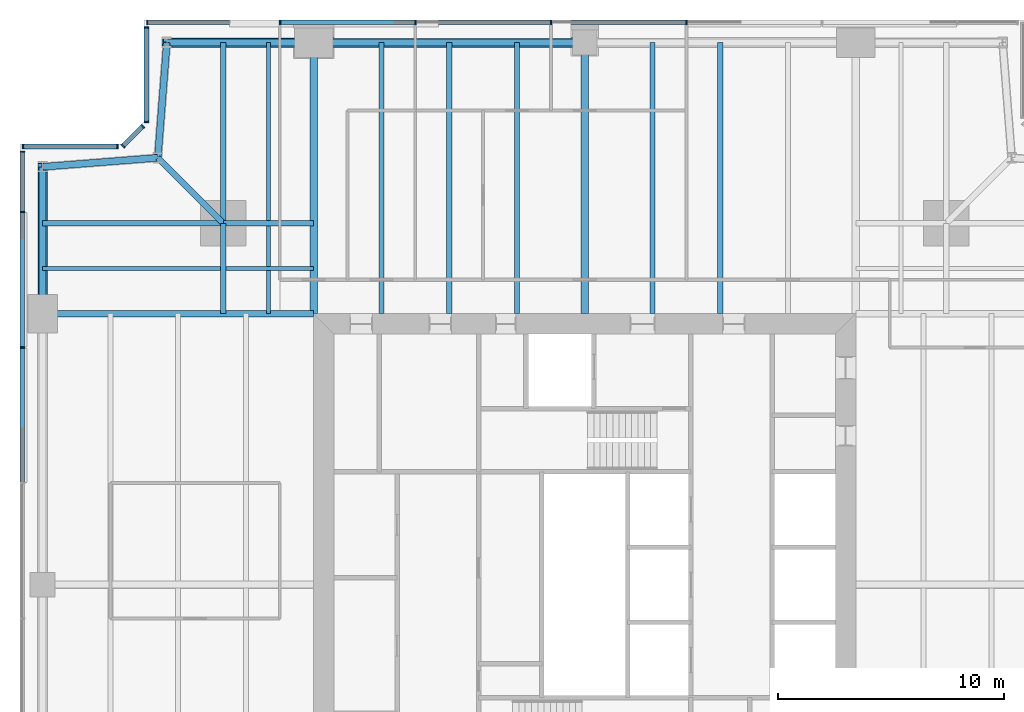
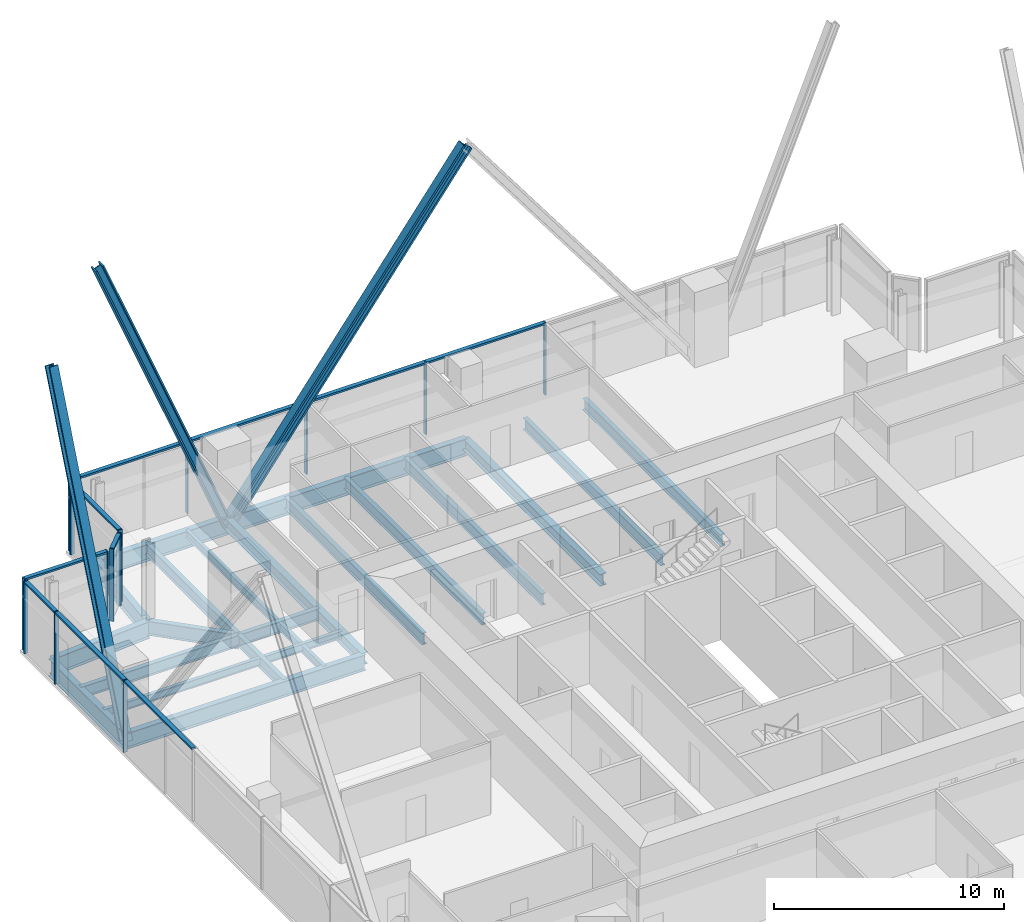
# One storey, part 6 of 13: 27 members, 23 beams, 5 elements without a shape of their own.
"""IFC4 building model written with IfcOpenShell, lengths in metres."""

from ifc_helpers import new_model, si_unit, direction, frame, origin, origin_2d, place, context, subcontext, project, spatial, rectangle, i_section, extrude, material, material_profile, profile_set, type_object, element, aggregate, save


model = new_model("IFC4")

# Units and contexts
model_context = context("Model", 3, precision=1e-05, world=origin(), true_north=direction((0.0, 1.0)))
body_context = subcontext(model_context, "Body", "Model", "MODEL_VIEW")
ifc_project = project(units=[si_unit("LENGTHUNIT", "METRE"), si_unit("AREAUNIT", "SQUARE_METRE"), si_unit("VOLUMEUNIT", "CUBIC_METRE"), si_unit("PLANEANGLEUNIT", "RADIAN"), si_unit("MASSUNIT", "GRAM", prefix="KILO")], contexts=[model_context])

# Site, building, storey
site_placement = place(None, origin())
site = spatial("IfcSite", under=ifc_project, at=site_placement, CompositionType="ELEMENT")
building_placement = place(site_placement, origin())
building = spatial("IfcBuilding", under=site, at=building_placement, Name="Fenwick Lantern Interchange", CompositionType="ELEMENT")
storey_placement = place(building_placement, frame((0.0, 0.0, 201.800048828125)))
storey = spatial("IfcBuildingStorey", under=building, at=storey_placement, Name="L47", CompositionType="ELEMENT", Elevation=201.800048828125)

# Beams
ifc_material_1 = material(Name="Steel ASTM A992 Grade 50", Category="steel")
ifc_material_profile_1 = material_profile(ifc_material_1, i_section(OverallWidth=0.3046875, OverallDepth=0.911865234375, WebThickness=0.015869140625, FlangeThickness=0.02392578125, at=origin_2d()), Name="W36X150")
ifc_profile_set_1 = profile_set([ifc_material_profile_1], Name="Steel ASTM A992 Grade 50")
beam_type_1 = type_object("IfcBeamType", Name="EDGE BEAM W36X150", PredefinedType="SPANDREL", material=ifc_profile_set_1)
beam_1_placement = place(storey_placement, frame((25.0, 49.0, -0.60595703125), z_axis=(-1.0, 0.0, 0.0), x_axis=(0.0, -1.0, 0.0)))
element("IfcBeam", 1, at=beam_1_placement, inside=storey, type_object=beam_type_1, Name="L47/FR/N/EB3", PredefinedType="SPANDREL", context=body_context, shape_type="SweptSolid", body=[
    extrude(i_section(OverallWidth=0.3046875, OverallDepth=0.911865234375, WebThickness=0.015869140625, FlangeThickness=0.02392578125, at=origin_2d()), origin(), (0.0, 0.0, 1.0), 12.0),
])
beam_2_placement = place(storey_placement, frame((13.0, 49.0, -0.60595703125), z_axis=(-1.0, 0.0, 0.0), x_axis=(0.0, -1.0, 0.0)))
element("IfcBeam", 2, at=beam_2_placement, inside=storey, type_object=beam_type_1, Name="L47/FR/N/EB4", PredefinedType="SPANDREL", context=body_context, shape_type="SweptSolid", body=[
    extrude(i_section(OverallWidth=0.3046875, OverallDepth=0.911865234375, WebThickness=0.015869140625, FlangeThickness=0.02392578125, at=origin_2d()), origin(), (0.0, 0.0, 1.0), 6.5),
])
for number, where, z_axis, x_axis, name in (
    (3, (6.5, 49.0, -0.60595703125), (-0.078170784639, -0.99693998236, 0.0), (0.99693998236, -0.078170784639, 0.0), "L47/FR/N/EBR1"),
    (4, (6.10009765625, 43.89990234375, -0.60595703125), (-0.99693998236, -0.078170784639, 0.0), (0.078170784639, -0.99693998236, 0.0), "L47/FR/N/EBR2"),
):
    element("IfcBeam", number, at=place(storey_placement, frame(where, z_axis=z_axis, x_axis=x_axis)), inside=storey, type_object=beam_type_1, Name=name, PredefinedType="SPANDREL", context=body_context, shape_type="SweptSolid", body=[
        extrude(i_section(OverallWidth=0.3046875, OverallDepth=0.911865234375, WebThickness=0.015869140625, FlangeThickness=0.02392578125, at=origin_2d()), origin(), (0.0, 0.0, 1.0), 5.11572265625),
    ])
beam_3_placement = place(storey_placement, frame((1.0, 43.5, -0.60595703125), z_axis=(0.0, -1.0, 0.0), x_axis=(1.0, 0.0, 0.0)))
element("IfcBeam", 5, at=beam_3_placement, inside=storey, type_object=beam_type_1, Name="L47/FR/W/EB1", PredefinedType="SPANDREL", context=body_context, shape_type="SweptSolid", body=[
    extrude(i_section(OverallWidth=0.3046875, OverallDepth=0.911865234375, WebThickness=0.015869140625, FlangeThickness=0.02392578125, at=origin_2d()), origin(), (0.0, 0.0, 1.0), 6.5),
])

# Members
ifc_material_profile_2 = material_profile(ifc_material_1, i_section(OverallWidth=0.424072265625, OverallDepth=0.47509765625, WebThickness=0.0478515625, FlangeThickness=0.0771484375, at=origin_2d()), Name="W14X426")
ifc_profile_set_2 = profile_set([ifc_material_profile_2], Name="Steel ASTM A992 Grade 50")
member_type_1 = type_object("IfcMemberType", Name="FACADE BRACE W14X426", PredefinedType="BRACE", material=ifc_profile_set_2)
for number, where, z_axis, x_axis, name in (
    (6, (13.0, 49.0, -0.60595703125), (-0.376377046956, 0.0, 0.926466577122), (0.0, -1.0, 0.0), "L47/FB/N/BE"),
    (7, (1.0, 37.0, -0.60595703125), (0.0, 0.376377046956, 0.926466577122), (-1.0, 0.0, 0.0), "L47/FB/W/AE"),
):
    element("IfcMember", number, at=place(storey_placement, frame(where, z_axis=z_axis, x_axis=x_axis)), inside=storey, type_object=member_type_1, Name=name, PredefinedType="BRACE", context=body_context, shape_type="SweptSolid", body=[
        extrude(i_section(OverallWidth=0.424072265625, OverallDepth=0.47509765625, WebThickness=0.0478515625, FlangeThickness=0.0771484375, at=origin_2d()), origin(), (0.0, 0.0, 1.0), 17.27001953125),
    ])
ifc_material_profile_3 = material_profile(ifc_material_1, i_section(OverallWidth=0.44189453125, OverallDepth=0.53076171875, WebThickness=0.06591796875, FlangeThickness=0.105712890625, at=origin_2d()), Name="W14X605")
ifc_profile_set_3 = profile_set([ifc_material_profile_3], Name="Steel ASTM A992 Grade 50")
member_type_2 = type_object("IfcMemberType", Name="FACADE BRACE W14X605", PredefinedType="BRACE", material=ifc_profile_set_3)
member_1_placement = place(storey_placement, frame((13.0, 49.0, -0.60595703125), z_axis=(0.6, 0.0, 0.8), x_axis=(0.0, 1.0, 0.0)))
element("IfcMember", 8, at=member_1_placement, inside=storey, type_object=member_type_2, Name="L47/FB/N/B", PredefinedType="BRACE", context=body_context, shape_type="SweptSolid", body=[
    extrude(i_section(OverallWidth=0.44189453125, OverallDepth=0.53076171875, WebThickness=0.06591796875, FlangeThickness=0.105712890625, at=origin_2d()), origin(), (0.0, 0.0, 1.0), 20.0),
])

# Beams
ifc_material_profile_4 = material_profile(ifc_material_1, i_section(OverallWidth=0.22900390625, OverallDepth=0.612060546875, WebThickness=0.011962890625, FlangeThickness=0.01953125, at=origin_2d()), Name="W24X84")
ifc_profile_set_4 = profile_set([ifc_material_profile_4], Name="Steel ASTM A992 Grade 50")
beam_type_2 = type_object("IfcBeamType", Name="FLOOR BEAM W24X84", PredefinedType="BEAM", material=ifc_profile_set_4)
for number, where, z_axis, x_axis, name in (
    (9, (31.0, 49.0, -0.4560546875), (0.0, -1.0, 0.0), (1.0, 0.0, 0.0), "L47/FR/N/R03"),
    (10, (28.0, 49.0, -0.4560546875), (0.0, -1.0, 0.0), (1.0, 0.0, 0.0), "L47/FR/N/R04"),
    (11, (22.0, 49.0, -0.4560546875), (0.0, -1.0, 0.0), (1.0, 0.0, 0.0), "L47/FR/N/R06"),
    (12, (19.0, 49.0, -0.4560546875), (0.0, -1.0, 0.0), (1.0, 0.0, 0.0), "L47/FR/N/R07"),
    (13, (16.0, 49.0, -0.4560546875), (0.0, -1.0, 0.0), (1.0, 0.0, 0.0), "L47/FR/N/R08"),
):
    element("IfcBeam", number, at=place(storey_placement, frame(where, z_axis=z_axis, x_axis=x_axis)), inside=storey, type_object=beam_type_2, Name=name, PredefinedType="BEAM", context=body_context, shape_type="SweptSolid", body=[
        extrude(i_section(OverallWidth=0.22900390625, OverallDepth=0.612060546875, WebThickness=0.011962890625, FlangeThickness=0.01953125, at=origin_2d()), origin(), (0.0, 0.0, 1.0), 12.0),
    ])
ifc_material_profile_5 = material_profile(ifc_material_1, i_section(OverallWidth=0.177734375, OverallDepth=0.406494140625, WebThickness=0.0078125, FlangeThickness=0.012939453125, at=origin_2d()), Name="W16X40")
ifc_profile_set_5 = profile_set([ifc_material_profile_5], Name="Steel ASTM A992 Grade 50")
beam_type_3 = type_object("IfcBeamType", Name="INFILL BEAM W16X40", PredefinedType="JOIST", material=ifc_profile_set_5)
beam_4_placement = place(storey_placement, frame((1.0, 39.0, -0.353271484375), z_axis=(1.0, 0.0, 0.0), x_axis=(0.0, 1.0, 0.0)))
element("IfcBeam", 14, at=beam_4_placement, inside=storey, type_object=beam_type_3, Name="L47/FR/W/J1", PredefinedType="JOIST", context=body_context, shape_type="SweptSolid", body=[
    extrude(i_section(OverallWidth=0.177734375, OverallDepth=0.406494140625, WebThickness=0.0078125, FlangeThickness=0.012939453125, at=origin_2d()), origin(), (0.0, 0.0, 1.0), 7.885498046875),
])
beam_5_placement = place(storey_placement, frame((9.114501953125, 39.0, -0.353271484375), z_axis=(1.0, 0.0, 0.0), x_axis=(0.0, 1.0, 0.0)))
element("IfcBeam", 15, at=beam_5_placement, inside=storey, type_object=beam_type_3, Name="L47/FR/W/J2", PredefinedType="JOIST", context=body_context, shape_type="SweptSolid", body=[
    extrude(i_section(OverallWidth=0.177734375, OverallDepth=0.406494140625, WebThickness=0.0078125, FlangeThickness=0.012939453125, at=origin_2d()), origin(), (0.0, 0.0, 1.0), 3.885498046875),
])
beam_6_placement = place(storey_placement, frame((11.0, 49.0, -0.353271484375), z_axis=(0.0, -1.0, 0.0), x_axis=(1.0, 0.0, 0.0)))
element("IfcBeam", 16, at=beam_6_placement, inside=storey, type_object=beam_type_3, Name="L47/FR/W/J3", PredefinedType="JOIST", context=body_context, shape_type="SweptSolid", body=[
    extrude(i_section(OverallWidth=0.177734375, OverallDepth=0.406494140625, WebThickness=0.0078125, FlangeThickness=0.012939453125, at=origin_2d()), origin(), (0.0, 0.0, 1.0), 7.885498046875),
])
beam_7_placement = place(storey_placement, frame((11.0, 40.885498046875, -0.353271484375), z_axis=(0.0, -1.0, 0.0), x_axis=(1.0, 0.0, 0.0)))
element("IfcBeam", 17, at=beam_7_placement, inside=storey, type_object=beam_type_3, Name="L47/FR/W/J4", PredefinedType="JOIST", context=body_context, shape_type="SweptSolid", body=[
    extrude(i_section(OverallWidth=0.177734375, OverallDepth=0.406494140625, WebThickness=0.0078125, FlangeThickness=0.012939453125, at=origin_2d()), origin(), (0.0, 0.0, 1.0), 1.796630859375),
])
beam_8_placement = place(storey_placement, frame((11.0, 38.9111328125, -0.353271484375), z_axis=(0.0, -1.0, 0.0), x_axis=(1.0, 0.0, 0.0)))
element("IfcBeam", 18, at=beam_8_placement, inside=storey, type_object=beam_type_3, Name="L47/FR/W/J5", PredefinedType="JOIST", context=body_context, shape_type="SweptSolid", body=[
    extrude(i_section(OverallWidth=0.177734375, OverallDepth=0.406494140625, WebThickness=0.0078125, FlangeThickness=0.012939453125, at=origin_2d()), origin(), (0.0, 0.0, 1.0), 1.9111328125),
])
ifc_material_profile_6 = material_profile(ifc_material_1, i_section(OverallWidth=0.22900390625, OverallDepth=0.612060546875, WebThickness=0.011962890625, FlangeThickness=0.01953125, at=origin_2d()), Name="W24X84")
ifc_profile_set_6 = profile_set([ifc_material_profile_6], Name="Steel ASTM A992 Grade 50")
beam_type_4 = type_object("IfcBeamType", Name="MEGA COLUMN BEAM W24X84", PredefinedType="BEAM", material=ifc_profile_set_6)
for number, where, z_axis, x_axis, name in (
    (19, (9.0, 41.0, -0.4560546875), (-1.0, 0.0, 0.0), (0.0, -1.0, 0.0), "L47/FR/W/MB1"),
    (20, (9.0, 41.0, -0.4560546875), (0.0, 1.0, 0.0), (-1.0, 0.0, 0.0), "L47/FR/W/MB2"),
):
    element("IfcBeam", number, at=place(storey_placement, frame(where, z_axis=z_axis, x_axis=x_axis)), inside=storey, type_object=beam_type_4, Name=name, PredefinedType="BEAM", context=body_context, shape_type="SweptSolid", body=[
        extrude(i_section(OverallWidth=0.22900390625, OverallDepth=0.612060546875, WebThickness=0.011962890625, FlangeThickness=0.01953125, at=origin_2d()), origin(), (0.0, 0.0, 1.0), 8.0),
    ])
for number, where, z_axis, x_axis, name in (
    (21, (9.0, 41.0, -0.4560546875), (0.0, -1.0, 0.0), (1.0, 0.0, 0.0), "L47/FR/W/MB3"),
    (22, (9.0, 41.0, -0.4560546875), (1.0, 0.0, 0.0), (0.0, 1.0, 0.0), "L47/FR/W/MB4"),
):
    element("IfcBeam", number, at=place(storey_placement, frame(where, z_axis=z_axis, x_axis=x_axis)), inside=storey, type_object=beam_type_4, Name=name, PredefinedType="BEAM", context=body_context, shape_type="SweptSolid", body=[
        extrude(i_section(OverallWidth=0.22900390625, OverallDepth=0.612060546875, WebThickness=0.011962890625, FlangeThickness=0.01953125, at=origin_2d()), origin(), (0.0, 0.0, 1.0), 4.0),
    ])
ifc_material_profile_7 = material_profile(ifc_material_1, i_section(OverallWidth=0.32763671875, OverallDepth=0.622314453125, WebThickness=0.015380859375, FlangeThickness=0.0244140625, at=origin_2d()), Name="W24X131")
ifc_profile_set_7 = profile_set([ifc_material_profile_7], Name="Steel ASTM A992 Grade 50")
beam_type_5 = type_object("IfcBeamType", Name="MOMENT-CONNECTED GIRDER W24X131", PredefinedType="BEAM", material=ifc_profile_set_7)
for number, where, z_axis, x_axis, name in (
    (23, (25.0, 49.0, -0.461181640625), (0.0, -1.0, 0.0), (1.0, 0.0, 0.0), "L47/FR/N/R05"),
    (24, (13.0, 49.0, -0.461181640625), (0.0, -1.0, 0.0), (1.0, 0.0, 0.0), "L47/FR/N/R09"),
):
    element("IfcBeam", number, at=place(storey_placement, frame(where, z_axis=z_axis, x_axis=x_axis)), inside=storey, type_object=beam_type_5, Name=name, PredefinedType="BEAM", context=body_context, shape_type="SweptSolid", body=[
        extrude(i_section(OverallWidth=0.32763671875, OverallDepth=0.622314453125, WebThickness=0.015380859375, FlangeThickness=0.0244140625, at=origin_2d()), origin(), (0.0, 0.0, 1.0), 12.0),
    ])
ifc_material_profile_8 = material_profile(ifc_material_1, i_section(OverallWidth=0.2919921875, OverallDepth=0.845703125, WebThickness=0.015380859375, FlangeThickness=0.0244140625, at=origin_2d()), Name="W33X141")
ifc_profile_set_8 = profile_set([ifc_material_profile_8], Name="Steel ASTM A992 Grade 50")
beam_type_6 = type_object("IfcBeamType", Name="MOMENT-CONNECTED GIRDER W33X141", PredefinedType="BEAM", material=ifc_profile_set_8)
beam_9_placement = place(storey_placement, frame((1.0, 37.0, -0.572998046875), z_axis=(1.0, 0.0, 0.0), x_axis=(0.0, 1.0, 0.0)))
element("IfcBeam", 25, at=beam_9_placement, inside=storey, type_object=beam_type_6, Name="L47/FR/W/R01", PredefinedType="BEAM", context=body_context, shape_type="SweptSolid", body=[
    extrude(i_section(OverallWidth=0.2919921875, OverallDepth=0.845703125, WebThickness=0.015380859375, FlangeThickness=0.0244140625, at=origin_2d()), origin(), (0.0, 0.0, 1.0), 12.0),
])
ifc_material_profile_9 = material_profile(ifc_material_1, i_section(OverallWidth=0.2666015625, OverallDepth=0.7568359375, WebThickness=0.013916015625, FlangeThickness=0.019287109375, at=origin_2d()), Name="W30X108")
ifc_profile_set_9 = profile_set([ifc_material_profile_9], Name="Steel ASTM A992 Grade 50")
beam_type_7 = type_object("IfcBeamType", Name="NOTCH BEAM W30X108", PredefinedType="BEAM", material=ifc_profile_set_9)
beam_10_placement = place(storey_placement, frame((9.0, 41.0, -0.528564453125), z_axis=(-0.707106781187, 0.707106781187, 0.0), x_axis=(-0.707106781187, -0.707106781187, 0.0)))
element("IfcBeam", 26, at=beam_10_placement, inside=storey, type_object=beam_type_7, Name="L47/FR/W/TG", PredefinedType="BEAM", context=body_context, shape_type="SweptSolid", body=[
    extrude(i_section(OverallWidth=0.2666015625, OverallDepth=0.7568359375, WebThickness=0.013916015625, FlangeThickness=0.019287109375, at=origin_2d()), origin(), (0.0, 0.0, 1.0), 4.10107421875),
])

# Curtain wall, members
ifc_material_2 = material(Name="Aluminium curtain wall frame", Category="aluminium")
curtain_wall_type = type_object("IfcCurtainWallType", Name="OFFICE CURTAIN WALL", PredefinedType="USERDEFINED", material=ifc_material_2)
curtain_wall_1_placement = place(storey_placement, origin())
curtain_wall_1 = element("IfcCurtainWall", 27, at=curtain_wall_1_placement, inside=storey, type_object=curtain_wall_type, Name="Office curtain wall 09", ObjectType="OFFICE CURTAIN WALL", PredefinedType="USERDEFINED")
ifc_material_3 = material(Name="Aluminium extrusion", Category="aluminium")
ifc_material_profile_10 = material_profile(ifc_material_3, rectangle(XDim=0.199951171875, YDim=0.06494140625, at=origin_2d()), Name="OFFICE CURTAIN WALL MULLION 65 X 200")
ifc_profile_set_10 = profile_set([ifc_material_profile_10], Name="Aluminium extrusion")
member_type_3 = type_object("IfcMemberType", Name="OFFICE CURTAIN WALL MULLION 65 X 200", PredefinedType="MULLION", material=ifc_profile_set_10)
member_2_placement = place(storey_placement, frame((29.5, 49.89990234375, 0.0), z_axis=(0.0, 0.0, 1.0), x_axis=(0.0, -1.0, 0.0)))
member_2 = element("IfcMember", 28, at=member_2_placement, type_object=member_type_3, Name="L47/CW/09/M03", PredefinedType="MULLION", context=body_context, shape_type="SweptSolid", body=[
    extrude(rectangle(XDim=0.199951171875, YDim=0.06494140625, at=origin_2d()), origin(), (0.0, 0.0, 1.0), 3.849853515625),
])
member_3_placement = place(storey_placement, frame((23.5, 49.89990234375, 0.0), z_axis=(0.0, 0.0, 1.0), x_axis=(0.0, -1.0, 0.0)))
member_3 = element("IfcMember", 29, at=member_3_placement, type_object=member_type_3, Name="L47/CW/09/M04", PredefinedType="MULLION", context=body_context, shape_type="SweptSolid", body=[
    extrude(rectangle(XDim=0.199951171875, YDim=0.06494140625, at=origin_2d()), origin(), (0.0, 0.0, 1.0), 3.849853515625),
])
member_4_placement = place(storey_placement, frame((17.5, 49.89990234375, 0.0), z_axis=(0.0, 0.0, 1.0), x_axis=(0.0, -1.0, 0.0)))
member_4 = element("IfcMember", 30, at=member_4_placement, type_object=member_type_3, Name="L47/CW/09/M05", PredefinedType="MULLION", context=body_context, shape_type="SweptSolid", body=[
    extrude(rectangle(XDim=0.199951171875, YDim=0.06494140625, at=origin_2d()), origin(), (0.0, 0.0, 1.0), 3.849853515625),
])
member_5_placement = place(storey_placement, frame((11.5, 49.89990234375, 0.0), z_axis=(0.0, 0.0, 1.0), x_axis=(0.0, -1.0, 0.0)))
member_5 = element("IfcMember", 31, at=member_5_placement, type_object=member_type_3, Name="L47/CW/09/M06", PredefinedType="MULLION", context=body_context, shape_type="SweptSolid", body=[
    extrude(rectangle(XDim=0.199951171875, YDim=0.06494140625, at=origin_2d()), origin(), (0.0, 0.0, 1.0), 3.849853515625),
])
member_6_placement = place(storey_placement, frame((5.632568359375, 49.89990234375, 0.0), z_axis=(0.0, 0.0, 1.0), x_axis=(0.0, -1.0, 0.0)))
member_6 = element("IfcMember", 32, at=member_6_placement, type_object=member_type_3, Name="L47/CW/09/M07", PredefinedType="MULLION", context=body_context, shape_type="SweptSolid", body=[
    extrude(rectangle(XDim=0.199951171875, YDim=0.06494140625, at=origin_2d()), origin(), (0.0, 0.0, 1.0), 3.849853515625),
])

curtain_wall_2_placement = place(storey_placement, origin())
curtain_wall_2 = element("IfcCurtainWall", 33, at=curtain_wall_2_placement, inside=storey, type_object=curtain_wall_type, Name="Office curtain wall 10", ObjectType="OFFICE CURTAIN WALL", PredefinedType="USERDEFINED")
member_7_placement = place(storey_placement, frame((5.60009765625, 49.66748046875, 0.0), z_axis=(0.0, 0.0, 1.0), x_axis=(1.0, 0.0, 0.0)))
member_7 = element("IfcMember", 34, at=member_7_placement, type_object=member_type_3, Name="L47/CW/10/M00", PredefinedType="MULLION", context=body_context, shape_type="SweptSolid", body=[
    extrude(rectangle(XDim=0.199951171875, YDim=0.06494140625, at=origin_2d()), origin(), (0.0, 0.0, 1.0), 3.849853515625),
])
member_8_placement = place(storey_placement, frame((5.60009765625, 45.490966796875, 0.0), z_axis=(0.0, 0.0, 1.0), x_axis=(1.0, 0.0, 0.0)))
member_8 = element("IfcMember", 35, at=member_8_placement, type_object=member_type_3, Name="L47/CW/10/M01", PredefinedType="MULLION", context=body_context, shape_type="SweptSolid", body=[
    extrude(rectangle(XDim=0.199951171875, YDim=0.06494140625, at=origin_2d()), origin(), (0.0, 0.0, 1.0), 3.849853515625),
])

curtain_wall_3_placement = place(storey_placement, origin())
curtain_wall_3 = element("IfcCurtainWall", 36, at=curtain_wall_3_placement, inside=storey, type_object=curtain_wall_type, Name="Office curtain wall 11", ObjectType="OFFICE CURTAIN WALL", PredefinedType="USERDEFINED")
member_9_placement = place(storey_placement, frame((5.435546875, 45.294189453125, 0.0), z_axis=(0.0, 0.0, 1.0), x_axis=(0.707106781187, -0.707106781187, 0.0)))
member_9 = element("IfcMember", 37, at=member_9_placement, type_object=member_type_3, Name="L47/CW/11/M00", PredefinedType="MULLION", context=body_context, shape_type="SweptSolid", body=[
    extrude(rectangle(XDim=0.199951171875, YDim=0.06494140625, at=origin_2d()), origin(), (0.0, 0.0, 1.0), 3.849853515625),
])
member_10_placement = place(storey_placement, frame((4.564453125, 44.423095703125, 0.0), z_axis=(0.0, 0.0, 1.0), x_axis=(0.707106781187, -0.707106781187, 0.0)))
member_10 = element("IfcMember", 38, at=member_10_placement, type_object=member_type_3, Name="L47/CW/11/M01", PredefinedType="MULLION", context=body_context, shape_type="SweptSolid", body=[
    extrude(rectangle(XDim=0.199951171875, YDim=0.06494140625, at=origin_2d()), origin(), (0.0, 0.0, 1.0), 3.849853515625),
])

curtain_wall_4_placement = place(storey_placement, origin())
curtain_wall_4 = element("IfcCurtainWall", 39, at=curtain_wall_4_placement, inside=storey, type_object=curtain_wall_type, Name="Office curtain wall 12", ObjectType="OFFICE CURTAIN WALL", PredefinedType="USERDEFINED")
member_11_placement = place(storey_placement, frame((4.308837890625, 44.39990234375, 0.0), z_axis=(0.0, 0.0, 1.0), x_axis=(0.0, -1.0, 0.0)))
member_11 = element("IfcMember", 40, at=member_11_placement, type_object=member_type_3, Name="L47/CW/12/M00", PredefinedType="MULLION", context=body_context, shape_type="SweptSolid", body=[
    extrude(rectangle(XDim=0.199951171875, YDim=0.06494140625, at=origin_2d()), origin(), (0.0, 0.0, 1.0), 3.849853515625),
])
member_12_placement = place(storey_placement, frame((0.132568359375, 44.39990234375, 0.0), z_axis=(0.0, 0.0, 1.0), x_axis=(0.0, -1.0, 0.0)))
member_12 = element("IfcMember", 41, at=member_12_placement, type_object=member_type_3, Name="L47/CW/12/M01", PredefinedType="MULLION", context=body_context, shape_type="SweptSolid", body=[
    extrude(rectangle(XDim=0.199951171875, YDim=0.06494140625, at=origin_2d()), origin(), (0.0, 0.0, 1.0), 3.849853515625),
])

curtain_wall_5_placement = place(storey_placement, origin())
curtain_wall_5 = element("IfcCurtainWall", 42, at=curtain_wall_5_placement, inside=storey, type_object=curtain_wall_type, Name="Office curtain wall 13", ObjectType="OFFICE CURTAIN WALL", PredefinedType="USERDEFINED")
member_13_placement = place(storey_placement, frame((0.10009765625, 44.16748046875, 0.0), z_axis=(0.0, 0.0, 1.0), x_axis=(1.0, 0.0, 0.0)))
member_13 = element("IfcMember", 43, at=member_13_placement, type_object=member_type_3, Name="L47/CW/13/M00", PredefinedType="MULLION", context=body_context, shape_type="SweptSolid", body=[
    extrude(rectangle(XDim=0.199951171875, YDim=0.06494140625, at=origin_2d()), origin(), (0.0, 0.0, 1.0), 3.849853515625),
])
member_14_placement = place(storey_placement, frame((0.10009765625, 41.5, 0.0), z_axis=(0.0, 0.0, 1.0), x_axis=(1.0, 0.0, 0.0)))
member_14 = element("IfcMember", 44, at=member_14_placement, type_object=member_type_3, Name="L47/CW/13/M01", PredefinedType="MULLION", context=body_context, shape_type="SweptSolid", body=[
    extrude(rectangle(XDim=0.199951171875, YDim=0.06494140625, at=origin_2d()), origin(), (0.0, 0.0, 1.0), 3.849853515625),
])
member_15_placement = place(storey_placement, frame((0.10009765625, 35.5, 0.0), z_axis=(0.0, 0.0, 1.0), x_axis=(1.0, 0.0, 0.0)))
member_15 = element("IfcMember", 45, at=member_15_placement, type_object=member_type_3, Name="L47/CW/13/M02", PredefinedType="MULLION", context=body_context, shape_type="SweptSolid", body=[
    extrude(rectangle(XDim=0.199951171875, YDim=0.06494140625, at=origin_2d()), origin(), (0.0, 0.0, 1.0), 3.849853515625),
])

# Member
ifc_material_profile_11 = material_profile(ifc_material_3, rectangle(XDim=0.199951171875, YDim=0.10009765625, at=origin_2d()), Name="OFFICE CURTAIN WALL TRANSOM 100 X 200")
ifc_profile_set_11 = profile_set([ifc_material_profile_11], Name="Aluminium extrusion")
member_type_4 = type_object("IfcMemberType", Name="OFFICE CURTAIN WALL TRANSOM 100 X 200", PredefinedType="MULLION", material=ifc_profile_set_11)
member_16_placement = place(storey_placement, frame((29.467529296875, 49.89990234375, 3.800048828125), z_axis=(-1.0, 0.0, 0.0), x_axis=(0.0, -1.0, 0.0)))
member_16 = element("IfcMember", 46, at=member_16_placement, type_object=member_type_4, Name="L47/CW/09/T03", PredefinedType="MULLION", context=body_context, shape_type="SweptSolid", body=[
    extrude(rectangle(XDim=0.199951171875, YDim=0.10009765625, at=origin_2d()), origin(), (0.0, 0.0, 1.0), 5.93505859375),
])

member_17_placement = place(storey_placement, frame((23.467529296875, 49.89990234375, 3.800048828125), z_axis=(-1.0, 0.0, 0.0), x_axis=(0.0, -1.0, 0.0)))
member_17 = element("IfcMember", 47, at=member_17_placement, type_object=member_type_4, Name="L47/CW/09/T04", PredefinedType="MULLION", context=body_context, shape_type="SweptSolid", body=[
    extrude(rectangle(XDim=0.199951171875, YDim=0.10009765625, at=origin_2d()), origin(), (0.0, 0.0, 1.0), 5.93505859375),
])

member_18_placement = place(storey_placement, frame((17.467529296875, 49.89990234375, 3.800048828125), z_axis=(-1.0, 0.0, 0.0), x_axis=(0.0, -1.0, 0.0)))
member_18 = element("IfcMember", 48, at=member_18_placement, type_object=member_type_4, Name="L47/CW/09/T05", PredefinedType="MULLION", context=body_context, shape_type="SweptSolid", body=[
    extrude(rectangle(XDim=0.199951171875, YDim=0.10009765625, at=origin_2d()), origin(), (0.0, 0.0, 1.0), 5.93505859375),
])

member_19_placement = place(storey_placement, frame((11.467529296875, 49.89990234375, 3.800048828125), z_axis=(-1.0, 0.0, 0.0), x_axis=(0.0, -1.0, 0.0)))
member_19 = element("IfcMember", 49, at=member_19_placement, type_object=member_type_4, Name="L47/CW/09/T06", PredefinedType="MULLION", context=body_context, shape_type="SweptSolid", body=[
    extrude(rectangle(XDim=0.199951171875, YDim=0.10009765625, at=origin_2d()), origin(), (0.0, 0.0, 1.0), 5.802490234375),
])

aggregate(curtain_wall_1, [member_2, member_3, member_4, member_5, member_6, member_16, member_17, member_18, member_19])

member_20_placement = place(storey_placement, frame((5.60009765625, 49.635009765625, 3.800048828125), z_axis=(0.0, -1.0, 0.0), x_axis=(1.0, 0.0, 0.0)))
member_20 = element("IfcMember", 50, at=member_20_placement, type_object=member_type_4, Name="L47/CW/10/T00", PredefinedType="MULLION", context=body_context, shape_type="SweptSolid", body=[
    extrude(rectangle(XDim=0.199951171875, YDim=0.10009765625, at=origin_2d()), origin(), (0.0, 0.0, 1.0), 4.111328125),
])

aggregate(curtain_wall_2, [member_7, member_8, member_20])

member_21_placement = place(storey_placement, frame((5.41259765625, 45.271240234375, 3.800048828125), z_axis=(-0.707106781187, -0.707106781187, 0.0), x_axis=(0.707106781187, -0.707106781187, 0.0)))
member_21 = element("IfcMember", 51, at=member_21_placement, type_object=member_type_4, Name="L47/CW/11/T00", PredefinedType="MULLION", context=body_context, shape_type="SweptSolid", body=[
    extrude(rectangle(XDim=0.199951171875, YDim=0.10009765625, at=origin_2d()), origin(), (0.0, 0.0, 1.0), 1.1669921875),
])

aggregate(curtain_wall_3, [member_9, member_10, member_21])

member_22_placement = place(storey_placement, frame((4.2763671875, 44.39990234375, 3.800048828125), z_axis=(-1.0, 0.0, 0.0), x_axis=(0.0, -1.0, 0.0)))
member_22 = element("IfcMember", 52, at=member_22_placement, type_object=member_type_4, Name="L47/CW/12/T00", PredefinedType="MULLION", context=body_context, shape_type="SweptSolid", body=[
    extrude(rectangle(XDim=0.199951171875, YDim=0.10009765625, at=origin_2d()), origin(), (0.0, 0.0, 1.0), 4.111328125),
])

aggregate(curtain_wall_4, [member_11, member_12, member_22])

member_23_placement = place(storey_placement, frame((0.10009765625, 44.135009765625, 3.800048828125), z_axis=(0.0, -1.0, 0.0), x_axis=(1.0, 0.0, 0.0)))
member_23 = element("IfcMember", 53, at=member_23_placement, type_object=member_type_4, Name="L47/CW/13/T00", PredefinedType="MULLION", context=body_context, shape_type="SweptSolid", body=[
    extrude(rectangle(XDim=0.199951171875, YDim=0.10009765625, at=origin_2d()), origin(), (0.0, 0.0, 1.0), 2.6025390625),
])

member_24_placement = place(storey_placement, frame((0.10009765625, 41.467529296875, 3.800048828125), z_axis=(0.0, -1.0, 0.0), x_axis=(1.0, 0.0, 0.0)))
member_24 = element("IfcMember", 54, at=member_24_placement, type_object=member_type_4, Name="L47/CW/13/T01", PredefinedType="MULLION", context=body_context, shape_type="SweptSolid", body=[
    extrude(rectangle(XDim=0.199951171875, YDim=0.10009765625, at=origin_2d()), origin(), (0.0, 0.0, 1.0), 5.93505859375),
])

member_25_placement = place(storey_placement, frame((0.10009765625, 35.467529296875, 3.800048828125), z_axis=(0.0, -1.0, 0.0), x_axis=(1.0, 0.0, 0.0)))
member_25 = element("IfcMember", 55, at=member_25_placement, type_object=member_type_4, Name="L47/CW/13/T02", PredefinedType="MULLION", context=body_context, shape_type="SweptSolid", body=[
    extrude(rectangle(XDim=0.199951171875, YDim=0.10009765625, at=origin_2d()), origin(), (0.0, 0.0, 1.0), 5.93505859375),
])

aggregate(curtain_wall_5, [member_13, member_14, member_15, member_23, member_24, member_25])

save(model, "model.ifc")
